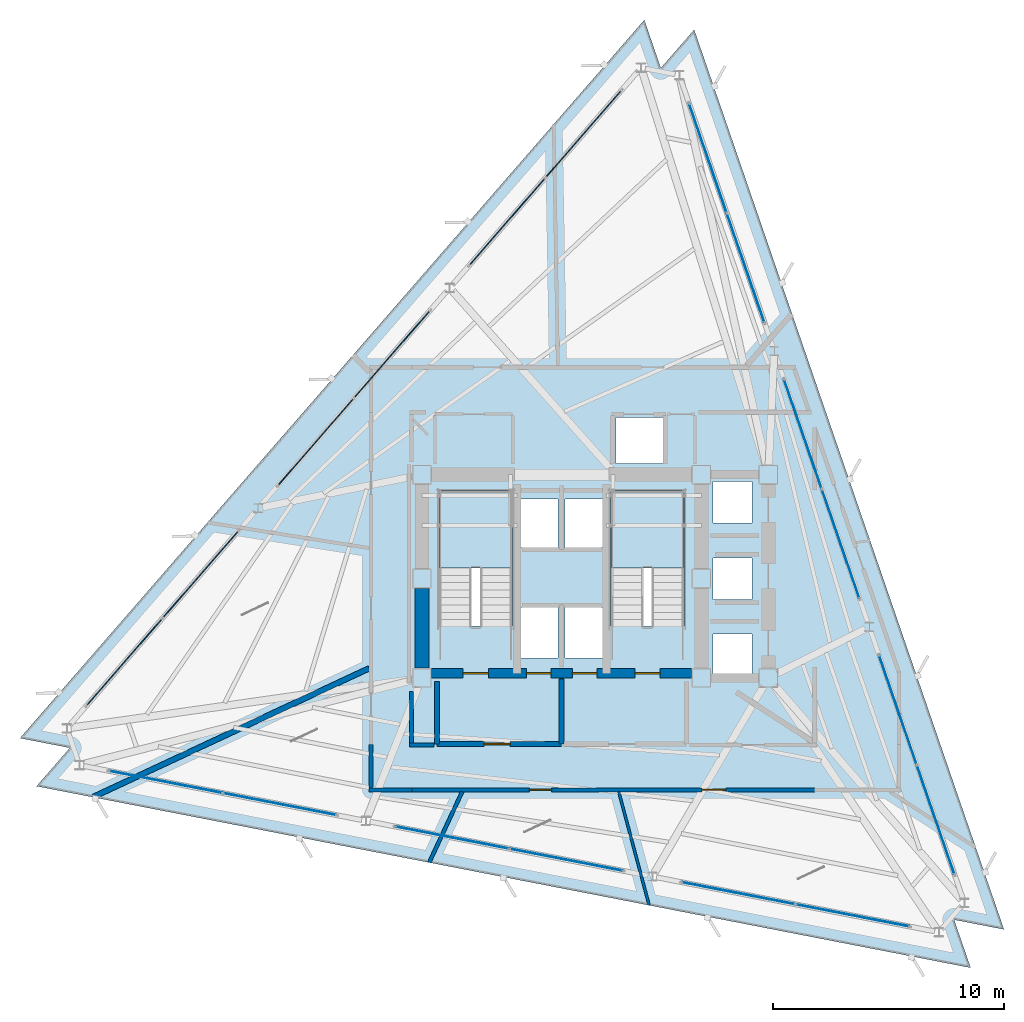
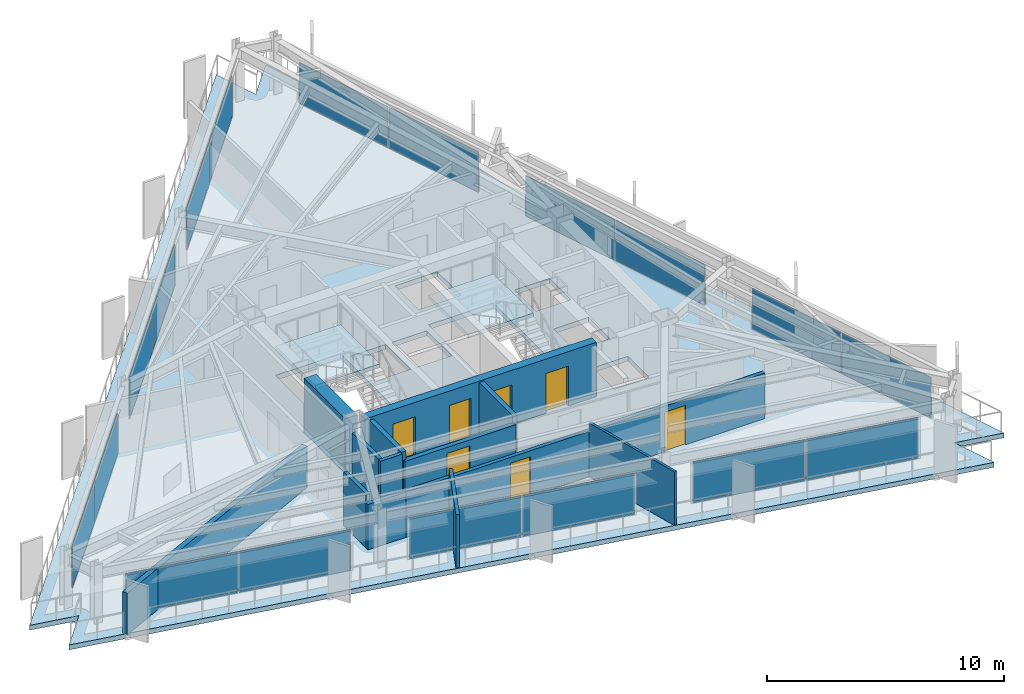
# One storey, part 8 of 13: 18 plates, 13 walls, 7 doors, 3 slabs, 7 openings, 11 elements without a shape of their own.
"""IFC4 building model written with IfcOpenShell, lengths in metres."""

from ifc_helpers import new_model, si_unit, direction, frame, frame_2d, origin, origin_2d, place, context, subcontext, project, spatial, polyline, rectangle, outline, extrude, material, layer, layer_set, type_object, element, fill, aggregate, save


model = new_model("IFC4")

# Units and contexts
model_context = context("Model", 3, precision=1e-05, world=origin(), true_north=direction((0.0, 1.0)))
body_context = subcontext(model_context, "Body", "Model", "MODEL_VIEW")
ifc_project = project(units=[si_unit("LENGTHUNIT", "METRE"), si_unit("AREAUNIT", "SQUARE_METRE"), si_unit("VOLUMEUNIT", "CUBIC_METRE"), si_unit("PLANEANGLEUNIT", "RADIAN"), si_unit("MASSUNIT", "GRAM", prefix="KILO")], contexts=[model_context])

# Site, building, storey
site_placement = place(None, origin())
site = spatial("IfcSite", under=ifc_project, at=site_placement, CompositionType="ELEMENT")
building_placement = place(site_placement, origin())
building = spatial("IfcBuilding", under=site, at=building_placement, Name="Rocaltana Carrier Exchange", CompositionType="ELEMENT")
storey_placement = place(building_placement, frame((0.0, 0.0, 159.360107421875)))
storey = spatial("IfcBuildingStorey", under=building, at=storey_placement, Name="L50", CompositionType="ELEMENT", Elevation=159.360107421875)

# Curtain wall, plates
ifc_material_1 = material(Name="Aluminium 6063-T6", Category="aluminium")
ifc_layer_1 = layer(ifc_material_1, 0.135009765625)
ifc_layer_set_1 = layer_set([ifc_layer_1], Name="Aluminium 6063-T6")
curtain_wall_type = type_object("IfcCurtainWallType", Name="Upper-Mid Acoustic Curtain Wall CW-04", PredefinedType="NOTDEFINED", material=ifc_layer_set_1)
curtain_wall_1_placement = place(storey_placement, origin())
curtain_wall_1 = element("IfcCurtainWall", 1, at=curtain_wall_1_placement, inside=storey, type_object=curtain_wall_type, Name="L50 CW-04 Run CW-L50-F1S1", PredefinedType="NOTDEFINED")
ifc_material_2 = material(Name="Tempered Laminated Glass", Category="glass")
ifc_layer_2 = layer(ifc_material_2, 0.0380859375)
ifc_layer_set_2 = layer_set([ifc_layer_2], Name="Tempered Laminated Glass")
plate_type = type_object("IfcPlateType", Name="CW-04 Stone-Insulated Vision Panel", PredefinedType="CURTAIN_PANEL", material=ifc_layer_set_2)
plate_1_placement = place(storey_placement, frame((16.197021484375, -10.4462890625, 0.06494140625), z_axis=(0.0, 0.0, 1.0), x_axis=(-0.325558788464, 0.945521800517, 0.0)))
plate_1 = element("IfcPlate", 2, at=plate_1_placement, type_object=plate_type, Name="CW-04 panel 1.1", PredefinedType="CURTAIN_PANEL", context=body_context, shape_type="SweptSolid", body=[
    extrude(rectangle(XDim=4.96923828125, YDim=0.0380859375, at=origin_2d()), origin(), (0.0, 0.0, 1.0), 2.087890625),
])
plate_2_placement = place(storey_placement, frame((14.55810546875, -5.686279296875, 0.06494140625), z_axis=(0.0, 0.0, 1.0), x_axis=(-0.325558788464, 0.945521800517, 0.0)))
plate_2 = element("IfcPlate", 3, at=plate_2_placement, type_object=plate_type, Name="CW-04 panel 2.1", PredefinedType="CURTAIN_PANEL", context=body_context, shape_type="SweptSolid", body=[
    extrude(rectangle(XDim=4.96923828125, YDim=0.0380859375, at=origin_2d()), origin(), (0.0, 0.0, 1.0), 2.087890625),
])
aggregate(curtain_wall_1, [plate_1, plate_2])

curtain_wall_2_placement = place(storey_placement, origin())
curtain_wall_2 = element("IfcCurtainWall", 4, at=curtain_wall_2_placement, inside=storey, type_object=curtain_wall_type, Name="L50 CW-04 Run CW-L50-F1S2", PredefinedType="NOTDEFINED")
plate_3_placement = place(storey_placement, frame((12.083984375, 1.498779296875, 0.06494140625), z_axis=(0.0, 0.0, 1.0), x_axis=(-0.32556182622, 0.945520754562, 0.0)))
plate_3 = element("IfcPlate", 5, at=plate_3_placement, type_object=plate_type, Name="CW-04 panel 1.1", PredefinedType="CURTAIN_PANEL", context=body_context, shape_type="SweptSolid", body=[
    extrude(rectangle(XDim=4.96923828125, YDim=0.0380859375, at=origin_2d()), origin(), (0.0, 0.0, 1.0), 2.087890625),
])
plate_4_placement = place(storey_placement, frame((10.445068359375, 6.258544921875, 0.06494140625), z_axis=(0.0, 0.0, 1.0), x_axis=(-0.32556182622, 0.945520754562, 0.0)))
plate_4 = element("IfcPlate", 6, at=plate_4_placement, type_object=plate_type, Name="CW-04 panel 2.1", PredefinedType="CURTAIN_PANEL", context=body_context, shape_type="SweptSolid", body=[
    extrude(rectangle(XDim=4.96923828125, YDim=0.0380859375, at=origin_2d()), origin(), (0.0, 0.0, 1.0), 2.087890625),
])
aggregate(curtain_wall_2, [plate_3, plate_4])

curtain_wall_3_placement = place(storey_placement, origin())
curtain_wall_3 = element("IfcCurtainWall", 7, at=curtain_wall_3_placement, inside=storey, type_object=curtain_wall_type, Name="L50 CW-04 Run CW-L50-F1S3", PredefinedType="NOTDEFINED")
plate_5_placement = place(storey_placement, frame((7.970947265625, 13.44384765625, 0.06494140625), z_axis=(0.0, 0.0, 1.0), x_axis=(-0.325558788464, 0.945521800517, 0.0)))
plate_5 = element("IfcPlate", 8, at=plate_5_placement, type_object=plate_type, Name="CW-04 panel 1.1", PredefinedType="CURTAIN_PANEL", context=body_context, shape_type="SweptSolid", body=[
    extrude(rectangle(XDim=4.96923828125, YDim=0.0380859375, at=origin_2d()), origin(), (0.0, 0.0, 1.0), 2.087890625),
])
plate_6_placement = place(storey_placement, frame((6.33203125, 18.20361328125, 0.06494140625), z_axis=(0.0, 0.0, 1.0), x_axis=(-0.325558788464, 0.945521800517, 0.0)))
plate_6 = element("IfcPlate", 9, at=plate_6_placement, type_object=plate_type, Name="CW-04 panel 2.1", PredefinedType="CURTAIN_PANEL", context=body_context, shape_type="SweptSolid", body=[
    extrude(rectangle(XDim=4.96923828125, YDim=0.0380859375, at=origin_2d()), origin(), (0.0, 0.0, 1.0), 2.087890625),
])
aggregate(curtain_wall_3, [plate_5, plate_6])

curtain_wall_4_placement = place(storey_placement, origin())
curtain_wall_4 = element("IfcCurtainWall", 10, at=curtain_wall_4_placement, inside=storey, type_object=curtain_wall_type, Name="L50 CW-04 Run CW-L50-F2S1", PredefinedType="NOTDEFINED")
plate_7_placement = place(storey_placement, frame((0.9482421875, 19.250244140625, 0.06494140625), z_axis=(0.0, 0.0, 1.0), x_axis=(-0.656056545375, -0.75471173919, 0.0)))
plate_7 = element("IfcPlate", 11, at=plate_7_placement, type_object=plate_type, Name="CW-04 panel 1.1", PredefinedType="CURTAIN_PANEL", context=body_context, shape_type="SweptSolid", body=[
    extrude(rectangle(XDim=4.96923828125, YDim=0.0380859375, at=origin_2d()), origin(), (0.0, 0.0, 1.0), 2.087890625),
])
plate_8_placement = place(storey_placement, frame((-2.3544921875, 15.450927734375, 0.06494140625), z_axis=(0.0, 0.0, 1.0), x_axis=(-0.656056545375, -0.75471173919, 0.0)))
plate_8 = element("IfcPlate", 12, at=plate_8_placement, type_object=plate_type, Name="CW-04 panel 2.1", PredefinedType="CURTAIN_PANEL", context=body_context, shape_type="SweptSolid", body=[
    extrude(rectangle(XDim=4.96923828125, YDim=0.0380859375, at=origin_2d()), origin(), (0.0, 0.0, 1.0), 2.087890625),
])
aggregate(curtain_wall_4, [plate_7, plate_8])

curtain_wall_5_placement = place(storey_placement, origin())
curtain_wall_5 = element("IfcCurtainWall", 13, at=curtain_wall_5_placement, inside=storey, type_object=curtain_wall_type, Name="L50 CW-04 Run CW-L50-F2S2", PredefinedType="NOTDEFINED")
plate_9_placement = place(storey_placement, frame((-7.33984375, 9.7158203125, 0.06494140625), z_axis=(0.0, 0.0, 1.0), x_axis=(-0.656056545375, -0.75471173919, 0.0)))
plate_9 = element("IfcPlate", 14, at=plate_9_placement, type_object=plate_type, Name="CW-04 panel 1.1", PredefinedType="CURTAIN_PANEL", context=body_context, shape_type="SweptSolid", body=[
    extrude(rectangle(XDim=4.96923828125, YDim=0.0380859375, at=origin_2d()), origin(), (0.0, 0.0, 1.0), 2.087890625),
])
plate_10_placement = place(storey_placement, frame((-10.642578125, 5.91650390625, 0.06494140625), z_axis=(0.0, 0.0, 1.0), x_axis=(-0.656056545375, -0.75471173919, 0.0)))
plate_10 = element("IfcPlate", 15, at=plate_10_placement, type_object=plate_type, Name="CW-04 panel 2.1", PredefinedType="CURTAIN_PANEL", context=body_context, shape_type="SweptSolid", body=[
    extrude(rectangle(XDim=4.96923828125, YDim=0.0380859375, at=origin_2d()), origin(), (0.0, 0.0, 1.0), 2.087890625),
])
aggregate(curtain_wall_5, [plate_9, plate_10])

curtain_wall_6_placement = place(storey_placement, origin())
curtain_wall_6 = element("IfcCurtainWall", 16, at=curtain_wall_6_placement, inside=storey, type_object=curtain_wall_type, Name="L50 CW-04 Run CW-L50-F2S3", PredefinedType="NOTDEFINED")
plate_11_placement = place(storey_placement, frame((-15.628173828125, 0.18115234375, 0.06494140625), z_axis=(0.0, 0.0, 1.0), x_axis=(-0.656056545375, -0.75471173919, 0.0)))
plate_11 = element("IfcPlate", 17, at=plate_11_placement, type_object=plate_type, Name="CW-04 panel 1.1", PredefinedType="CURTAIN_PANEL", context=body_context, shape_type="SweptSolid", body=[
    extrude(rectangle(XDim=4.96923828125, YDim=0.0380859375, at=origin_2d()), origin(), (0.0, 0.0, 1.0), 2.087890625),
])
plate_12_placement = place(storey_placement, frame((-18.930908203125, -3.6181640625, 0.06494140625), z_axis=(0.0, 0.0, 1.0), x_axis=(-0.656056545375, -0.75471173919, 0.0)))
plate_12 = element("IfcPlate", 18, at=plate_12_placement, type_object=plate_type, Name="CW-04 panel 2.1", PredefinedType="CURTAIN_PANEL", context=body_context, shape_type="SweptSolid", body=[
    extrude(rectangle(XDim=4.96923828125, YDim=0.0380859375, at=origin_2d()), origin(), (0.0, 0.0, 1.0), 2.087890625),
])
aggregate(curtain_wall_6, [plate_11, plate_12])

curtain_wall_7_placement = place(storey_placement, origin())
curtain_wall_7 = element("IfcCurtainWall", 19, at=curtain_wall_7_placement, inside=storey, type_object=curtain_wall_type, Name="L50 CW-04 Run CW-L50-F3S1", PredefinedType="NOTDEFINED")
plate_13_placement = place(storey_placement, frame((-17.145263671875, -8.803955078125, 0.06494140625), z_axis=(0.0, 0.0, 1.0), x_axis=(0.981628278569, -0.190803361378, 0.0)))
plate_13 = element("IfcPlate", 20, at=plate_13_placement, type_object=plate_type, Name="CW-04 panel 1.1", PredefinedType="CURTAIN_PANEL", context=body_context, shape_type="SweptSolid", body=[
    extrude(rectangle(XDim=4.96923828125, YDim=0.0380859375, at=origin_2d()), origin(), (0.0, 0.0, 1.0), 2.087890625),
])
plate_14_placement = place(storey_placement, frame((-12.20361328125, -9.764404296875, 0.06494140625), z_axis=(0.0, 0.0, 1.0), x_axis=(0.981628278569, -0.190803361378, 0.0)))
plate_14 = element("IfcPlate", 21, at=plate_14_placement, type_object=plate_type, Name="CW-04 panel 2.1", PredefinedType="CURTAIN_PANEL", context=body_context, shape_type="SweptSolid", body=[
    extrude(rectangle(XDim=4.96923828125, YDim=0.0380859375, at=origin_2d()), origin(), (0.0, 0.0, 1.0), 2.087890625),
])
aggregate(curtain_wall_7, [plate_13, plate_14])

curtain_wall_8_placement = place(storey_placement, origin())
curtain_wall_8 = element("IfcCurtainWall", 22, at=curtain_wall_8_placement, inside=storey, type_object=curtain_wall_type, Name="L50 CW-04 Run CW-L50-F3S2", PredefinedType="NOTDEFINED")
plate_15_placement = place(storey_placement, frame((-4.744140625, -11.21435546875, 0.06494140625), z_axis=(0.0, 0.0, 1.0), x_axis=(0.981626070913, -0.190814718784, 0.0)))
plate_15 = element("IfcPlate", 23, at=plate_15_placement, type_object=plate_type, Name="CW-04 panel 1.1", PredefinedType="CURTAIN_PANEL", context=body_context, shape_type="SweptSolid", body=[
    extrude(rectangle(XDim=4.96923828125, YDim=0.0380859375, at=origin_2d()), origin(), (0.0, 0.0, 1.0), 2.087890625),
])
plate_16_placement = place(storey_placement, frame((0.19775390625, -12.175048828125, 0.06494140625), z_axis=(0.0, 0.0, 1.0), x_axis=(0.981626070913, -0.190814718784, 0.0)))
plate_16 = element("IfcPlate", 24, at=plate_16_placement, type_object=plate_type, Name="CW-04 panel 2.1", PredefinedType="CURTAIN_PANEL", context=body_context, shape_type="SweptSolid", body=[
    extrude(rectangle(XDim=4.96923828125, YDim=0.0380859375, at=origin_2d()), origin(), (0.0, 0.0, 1.0), 2.087890625),
])
aggregate(curtain_wall_8, [plate_15, plate_16])

curtain_wall_9_placement = place(storey_placement, origin())
curtain_wall_9 = element("IfcCurtainWall", 25, at=curtain_wall_9_placement, inside=storey, type_object=curtain_wall_type, Name="L50 CW-04 Run CW-L50-F3S3", PredefinedType="NOTDEFINED")
plate_17_placement = place(storey_placement, frame((7.6572265625, -13.625, 0.06494140625), z_axis=(0.0, 0.0, 1.0), x_axis=(0.981627919301, -0.190805209699, 0.0)))
plate_17 = element("IfcPlate", 26, at=plate_17_placement, type_object=plate_type, Name="CW-04 panel 1.1", PredefinedType="CURTAIN_PANEL", context=body_context, shape_type="SweptSolid", body=[
    extrude(rectangle(XDim=4.96923828125, YDim=0.0380859375, at=origin_2d()), origin(), (0.0, 0.0, 1.0), 2.087890625),
])
plate_18_placement = place(storey_placement, frame((12.598876953125, -14.58544921875, 0.06494140625), z_axis=(0.0, 0.0, 1.0), x_axis=(0.981627919301, -0.190805209699, 0.0)))
plate_18 = element("IfcPlate", 27, at=plate_18_placement, type_object=plate_type, Name="CW-04 panel 2.1", PredefinedType="CURTAIN_PANEL", context=body_context, shape_type="SweptSolid", body=[
    extrude(rectangle(XDim=4.96923828125, YDim=0.0380859375, at=origin_2d()), origin(), (0.0, 0.0, 1.0), 2.087890625),
])
aggregate(curtain_wall_9, [plate_17, plate_18])

# Slab
ifc_material_3 = material(Name="Concrete C50/60", Category="concrete")
ifc_layer_3 = layer(ifc_material_3, 0.25)
ifc_layer_set_3 = layer_set([ifc_layer_3], Name="Concrete C50/60")
slab_type_1 = type_object("IfcSlabType", Name="Mid-Zone Tower Slab 250", PredefinedType="FLOOR", material=ifc_layer_set_3)
slab_1_placement = place(storey_placement, frame((0.0, 0.0, -0.25)))
element("IfcSlab", 28, at=slab_1_placement, inside=storey, type_object=slab_type_1, Name="L50 Structural Floor Slab", PredefinedType="FLOOR", context=body_context, shape_type="SweptSolid", body=[
    extrude(outline(polyline([(17.709716796875, -16.852294921875), (16.993408203125, -14.772216796875), (19.153076171875, -15.19189453125), (5.73974609375, 23.76318359375), (4.29638671875, 22.10302734375), (3.580078125, 24.18310546875), (-23.449462890625, -6.910888671875), (-21.289794921875, -7.330810546875), (-22.7333984375, -8.9912109375), (17.709716796875, -16.852294921875)]), holes=[polyline([(-5.300048828125, -2.06005859375), (-2.139892578125, -2.06005859375), (-2.139892578125, 3.800048828125), (-5.300048828125, 3.800048828125), (-5.300048828125, -2.06005859375)]), polyline([(2.139892578125, -2.06005859375), (5.300048828125, -2.06005859375), (5.300048828125, 3.800048828125), (2.139892578125, 3.800048828125), (2.139892578125, -2.06005859375)]), polyline([(-1.85009765625, -3.449951171875), (-0.14990234375, -3.449951171875), (-0.14990234375, -1.25), (-1.85009765625, -1.25), (-1.85009765625, -3.449951171875)]), polyline([(0.14990234375, -3.449951171875), (1.85009765625, -3.449951171875), (1.85009765625, -1.25), (0.14990234375, -1.25), (0.14990234375, -3.449951171875)]), polyline([(2.35009765625, 4.97998046875), (4.39990234375, 4.97998046875), (4.39990234375, 6.97998046875), (2.35009765625, 6.97998046875), (2.35009765625, 4.97998046875)]), polyline([(-1.85009765625, 1.35009765625), (-0.14990234375, 1.35009765625), (-0.14990234375, 3.449951171875), (-1.85009765625, 3.449951171875), (-1.85009765625, 1.35009765625)]), polyline([(0.14990234375, 1.35009765625), (1.85009765625, 1.35009765625), (1.85009765625, 3.449951171875), (0.14990234375, 3.449951171875), (0.14990234375, 1.35009765625)]), polyline([(6.550048828125, -4.199951171875), (8.25, -4.199951171875), (8.25, -2.39990234375), (6.550048828125, -2.39990234375), (6.550048828125, -4.199951171875)]), polyline([(6.550048828125, -0.89990234375), (8.25, -0.89990234375), (8.25, 0.89990234375), (6.550048828125, 0.89990234375), (6.550048828125, -0.89990234375)]), polyline([(6.550048828125, 2.39990234375), (8.25, 2.39990234375), (8.25, 4.199951171875), (6.550048828125, 4.199951171875), (6.550048828125, 2.39990234375)])]), origin(), (0.0, 0.0, 1.0), 0.25),
])

# Stair, slab
ifc_material_4 = material(Name="Precast concrete C45/55", Category="concrete")
stair_type = type_object("IfcStairType", Name="Standard Dog-Leg Stair 160", PredefinedType="HALF_TURN_STAIR", material=ifc_material_4)
stair_1_placement = place(storey_placement, origin())
stair_1 = element("IfcStair", 29, at=stair_1_placement, inside=storey, type_object=stair_type, Name="L50 Core West Exit Stair ST-1", PredefinedType="HALF_TURN_STAIR")
ifc_material_5 = material(Name="Precast concrete C45/55", Category="concrete")
ifc_layer_4 = layer(ifc_material_5, 0.199951171875)
ifc_layer_set_4 = layer_set([ifc_layer_4], Name="Precast concrete C45/55")
slab_type_2 = type_object("IfcSlabType", Name="Precast Stair Half-Landing 200", PredefinedType="LANDING", material=ifc_layer_set_4)
slab_2_placement = place(storey_placement, frame((0.0, 0.0, 1.31982421875)))
slab_2 = element("IfcSlab", 30, at=slab_2_placement, type_object=slab_type_2, Name="ST-1 landing 1", PredefinedType="LANDING", context=body_context, shape_type="SweptSolid", body=[
    extrude(outline(polyline([(-2.139892578125, 0.4599609375), (-2.139892578125, 3.800048828125), (-5.300048828125, 3.800048828125), (-5.300048828125, 0.4599609375), (-2.139892578125, 0.4599609375)])), origin(), (0.0, 0.0, 1.0), 0.199951171875),
])
aggregate(stair_1, [slab_2])

stair_2_placement = place(storey_placement, origin())
stair_2 = element("IfcStair", 31, at=stair_2_placement, inside=storey, type_object=stair_type, Name="L50 Core East Exit Stair ST-2", PredefinedType="HALF_TURN_STAIR")
slab_3_placement = place(storey_placement, frame((0.0, 0.0, 1.31982421875)))
slab_3 = element("IfcSlab", 32, at=slab_3_placement, type_object=slab_type_2, Name="ST-2 landing 1", PredefinedType="LANDING", context=body_context, shape_type="SweptSolid", body=[
    extrude(outline(polyline([(5.300048828125, 0.4599609375), (5.300048828125, 3.800048828125), (2.139892578125, 3.800048828125), (2.139892578125, 0.4599609375), (5.300048828125, 0.4599609375)])), origin(), (0.0, 0.0, 1.0), 0.199951171875),
])
aggregate(stair_2, [slab_3])

# Wall
ifc_material_6 = material(Name="Double Acoustic Gypsum Partition", Category="gypsum")
ifc_layer_5 = layer(ifc_material_6, 0.159912109375)
ifc_layer_set_5 = layer_set([ifc_layer_5], Name="Double Acoustic Gypsum Partition")
wall_type_1 = type_object("IfcWallType", Name="Acoustic Studio Partition 160 EI60", PredefinedType="PARTITIONING", material=ifc_layer_set_5)
wall_1_placement = place(storey_placement, frame((-4.303955078125, -9.22998046875, 0.0), z_axis=(0.0, 0.0, 1.0), x_axis=(-0.422604032696, -0.906314422013, 0.0)))
element("IfcWall", 33, at=wall_1_placement, inside=storey, type_object=wall_type_1, Name="L50 Suite Divider Wall D2", PredefinedType="PARTITIONING", context=body_context, shape_type="SweptSolid", body=[
    extrude(rectangle(XDim=3.3720703125, YDim=0.159912109375, at=frame_2d((1.68603515625, 0.0))), origin(), (0.0, 0.0, 1.0), 2.762939453125),
])

# Wall, openings, doors
ifc_material_7 = material(Name="Concrete C50/60", Category="concrete")
ifc_layer_6 = layer(ifc_material_7, 0.39990234375)
ifc_layer_set_6 = layer_set([ifc_layer_6], Name="Concrete C50/60")
wall_type_2 = type_object("IfcWallType", Name="Core Internal Shear Wall 400", PredefinedType="SHEAR", material=ifc_layer_set_6)
wall_2_placement = place(storey_placement, frame((-5.625, -4.10009765625, 0.0), z_axis=(0.0, 0.0, 1.0), x_axis=(1.0, 0.0, 0.0)))
wall_2 = element("IfcWall", 34, at=wall_2_placement, inside=storey, type_object=wall_type_2, Name="L50 Core Shear Wall CW-S", PredefinedType="SHEAR", context=body_context, shape_type="SweptSolid", body=[
    extrude(rectangle(XDim=11.25, YDim=0.39990234375, at=frame_2d((5.625, 0.0))), origin(), (0.0, 0.0, 1.0), 2.787841796875),
])
opening_1_placement = place(wall_2_placement, frame((1.35498046875, 0.0, 0.0)))
opening_1 = element("IfcOpeningElement", 35, at=opening_1_placement, cuts=wall_2, Name="Opening D-ST110", PredefinedType="OPENING", context=body_context, shape_type="SweptSolid", body=[
    extrude(rectangle(XDim=1.10009765625, YDim=2.0400390625, at=frame_2d((0.550048828125, 1.02001953125))), frame((0.0, 0.2099609375, 0.0), z_axis=(0.0, -1.0, 0.0), x_axis=(1.0, 0.0, 0.0)), (0.0, 0.0, 1.0), 0.419921875),
])
opening_2_placement = place(wall_2_placement, frame((8.794921875, 0.0, 0.0)))
opening_2 = element("IfcOpeningElement", 36, at=opening_2_placement, cuts=wall_2, Name="Opening D-ST110", PredefinedType="OPENING", context=body_context, shape_type="SweptSolid", body=[
    extrude(rectangle(XDim=1.10009765625, YDim=2.0400390625, at=frame_2d((0.550048828125, 1.02001953125))), frame((0.0, 0.2099609375, 0.0), z_axis=(0.0, -1.0, 0.0), x_axis=(1.0, 0.0, 0.0)), (0.0, 0.0, 1.0), 0.419921875),
])
opening_3_placement = place(wall_2_placement, frame((4.094970703125, 0.0, 0.0)))
opening_3 = element("IfcOpeningElement", 37, at=opening_3_placement, cuts=wall_2, Name="Opening LD-110", PredefinedType="OPENING", context=body_context, shape_type="SweptSolid", body=[
    extrude(rectangle(XDim=1.06005859375, YDim=2.0400390625, at=frame_2d((0.530029296875, 1.02001953125))), frame((0.0, 0.2099609375, 0.0), z_axis=(0.0, -1.0, 0.0), x_axis=(1.0, 0.0, 0.0)), (0.0, 0.0, 1.0), 0.419921875),
])
opening_4_placement = place(wall_2_placement, frame((6.094970703125, 0.0, 0.0)))
opening_4 = element("IfcOpeningElement", 38, at=opening_4_placement, cuts=wall_2, Name="Opening LD-110", PredefinedType="OPENING", context=body_context, shape_type="SweptSolid", body=[
    extrude(rectangle(XDim=1.06005859375, YDim=2.0400390625, at=frame_2d((0.530029296875, 1.02001953125))), frame((0.0, 0.2099609375, 0.0), z_axis=(0.0, -1.0, 0.0), x_axis=(1.0, 0.0, 0.0)), (0.0, 0.0, 1.0), 0.419921875),
])
ifc_material_8 = material(Name="Hollow Metal Fire Door Assembly", Category="steel")
door_type_1 = type_object("IfcDoorType", Name="Exit Stair Fire Door 1100x2040 FD90S", OperationType="NOTDEFINED", PredefinedType="DOOR", material=ifc_material_8)
door_1_placement = place(opening_1_placement, origin())
door_1 = element("IfcDoor", 39, at=door_1_placement, inside=storey, type_object=door_type_1, Name="L50 Exit Stair ST1 Fire Door", OperationType="SINGLE_SWING_RIGHT", OverallHeight=2.0400390625, OverallWidth=1.10009765625, PredefinedType="DOOR", context=body_context, shape_type="SweptSolid", body=[
    extrude(rectangle(XDim=1.10009765625, YDim=2.0400390625, at=frame_2d((0.550048828125, 1.02001953125))), frame((0.0, 0.02490234375, 0.0), z_axis=(0.0, -1.0, 0.0), x_axis=(1.0, 0.0, 0.0)), (0.0, 0.0, 1.0), 0.050048828125),
])
fill(opening_1, door_1)
door_2_placement = place(opening_2_placement, origin())
door_2 = element("IfcDoor", 40, at=door_2_placement, inside=storey, type_object=door_type_1, Name="L50 Exit Stair ST2 Fire Door", OperationType="SINGLE_SWING_LEFT", OverallHeight=2.0400390625, OverallWidth=1.10009765625, PredefinedType="DOOR", context=body_context, shape_type="SweptSolid", body=[
    extrude(rectangle(XDim=1.10009765625, YDim=2.0400390625, at=frame_2d((0.550048828125, 1.02001953125))), frame((0.0, 0.02490234375, 0.0), z_axis=(0.0, -1.0, 0.0), x_axis=(1.0, 0.0, 0.0)), (0.0, 0.0, 1.0), 0.050048828125),
])
fill(opening_2, door_2)
ifc_material_9 = material(Name="Brushed Stainless Sliding Door Leaf", Category="steel")
door_type_2 = type_object("IfcDoorType", Name="Lift Landing Sliding Door 1060x2040", OperationType="NOTDEFINED", PredefinedType="DOOR", material=ifc_material_9)
door_3_placement = place(opening_3_placement, origin())
door_3 = element("IfcDoor", 41, at=door_3_placement, inside=storey, type_object=door_type_2, Name="L50 Firefighting Lift FFL1 Landing Door", OperationType="SLIDING_TO_LEFT", OverallHeight=2.0400390625, OverallWidth=1.06005859375, PredefinedType="DOOR", context=body_context, shape_type="SweptSolid", body=[
    extrude(rectangle(XDim=1.06005859375, YDim=2.0400390625, at=frame_2d((0.530029296875, 1.02001953125))), frame((0.0, 0.02490234375, 0.0), z_axis=(0.0, -1.0, 0.0), x_axis=(1.0, 0.0, 0.0)), (0.0, 0.0, 1.0), 0.050048828125),
])
fill(opening_3, door_3)
door_4_placement = place(opening_4_placement, origin())
door_4 = element("IfcDoor", 42, at=door_4_placement, inside=storey, type_object=door_type_2, Name="L50 Firefighting Lift FFL2 Landing Door", OperationType="SLIDING_TO_RIGHT", OverallHeight=2.0400390625, OverallWidth=1.06005859375, PredefinedType="DOOR", context=body_context, shape_type="SweptSolid", body=[
    extrude(rectangle(XDim=1.06005859375, YDim=2.0400390625, at=frame_2d((0.530029296875, 1.02001953125))), frame((0.0, 0.02490234375, 0.0), z_axis=(0.0, -1.0, 0.0), x_axis=(1.0, 0.0, 0.0)), (0.0, 0.0, 1.0), 0.050048828125),
])
fill(opening_4, door_4)

# Walls
ifc_material_10 = material(Name="Concrete C50/60", Category="concrete")
ifc_layer_7 = layer(ifc_material_10, 0.60009765625)
ifc_layer_set_7 = layer_set([ifc_layer_7], Name="Concrete C50/60")
wall_type_3 = type_object("IfcWallType", Name="Core Shear Wall 600", PredefinedType="SHEAR", material=ifc_layer_set_7)
wall_3_placement = place(storey_placement, frame((-6.050048828125, -3.875, 0.0), z_axis=(0.0, 0.0, 1.0), x_axis=(0.0, 1.0, 0.0)))
element("IfcWall", 43, at=wall_3_placement, inside=storey, type_object=wall_type_3, Name="L50 Core Shear Wall CW-WS", PredefinedType="SHEAR", context=body_context, shape_type="SweptSolid", body=[
    extrude(rectangle(XDim=3.449951171875, YDim=0.60009765625, at=frame_2d((1.72509765625, 0.0))), origin(), (0.0, 0.0, 1.0), 2.787841796875),
])
ifc_material_11 = material(Name="Gypsum & Steel Stud Partition", Category="steel")
ifc_layer_8 = layer(ifc_material_11, 0.179931640625)
ifc_layer_set_8 = layer_set([ifc_layer_8], Name="Gypsum & Steel Stud Partition")
wall_type_4 = type_object("IfcWallType", Name="Corridor Fire Partition 180 EI60", PredefinedType="PARTITIONING", material=ifc_layer_set_8)
wall_4_placement = place(storey_placement, frame((-6.47998046875, -9.14990234375, 0.0), z_axis=(0.0, 0.0, 1.0), x_axis=(-1.0, 0.0, 0.0)))
element("IfcWall", 44, at=wall_4_placement, inside=storey, type_object=wall_type_4, Name="L50 Corridor Partition 1", PredefinedType="PARTITIONING", context=body_context, shape_type="SweptSolid", body=[
    extrude(rectangle(XDim=1.860107421875, YDim=0.179931640625, at=frame_2d((0.93017578125, 0.0))), origin(), (0.0, 0.0, 1.0), 2.329833984375),
])
wall_5_placement = place(storey_placement, frame((-8.25, -9.06005859375, 0.0), z_axis=(0.0, 0.0, 1.0), x_axis=(0.0, 1.0, 0.0)))
element("IfcWall", 45, at=wall_5_placement, inside=storey, type_object=wall_type_4, Name="L50 Corridor Partition 2", PredefinedType="PARTITIONING", context=body_context, shape_type="SweptSolid", body=[
    extrude(rectangle(XDim=1.880126953125, YDim=0.179931640625, at=frame_2d((0.93994140625, 0.0))), origin(), (0.0, 0.0, 1.0), 2.762939453125),
])
wall_6_placement = place(storey_placement, frame((-6.5, -4.8798828125, 0.0), z_axis=(0.0, 0.0, 1.0), x_axis=(0.0, -1.0, 0.0)))
element("IfcWall", 46, at=wall_6_placement, inside=storey, type_object=wall_type_4, Name="L50 Corridor Partition 12", PredefinedType="PARTITIONING", context=body_context, shape_type="SweptSolid", body=[
    extrude(rectangle(XDim=2.230224609375, YDim=0.179931640625, at=frame_2d((1.115234375, 0.0))), origin(), (0.0, 0.0, 1.0), 2.762939453125),
])
wall_7_placement = place(storey_placement, frame((-6.590087890625, -7.199951171875, 0.0), z_axis=(0.0, 0.0, 1.0), x_axis=(1.0, 0.0, 0.0)))
element("IfcWall", 47, at=wall_7_placement, inside=storey, type_object=wall_type_4, Name="L50 Corridor Partition 13", PredefinedType="PARTITIONING", context=body_context, shape_type="SweptSolid", body=[
    extrude(rectangle(XDim=1.06005859375, YDim=0.179931640625, at=frame_2d((0.530029296875, 0.0))), origin(), (0.0, 0.0, 1.0), 2.762939453125),
])

# Wall, openings, doors
wall_8_placement = place(storey_placement, frame((10.97998046875, -9.14990234375, 0.0), z_axis=(0.0, 0.0, 1.0), x_axis=(-1.0, 0.0, 0.0)))
wall_8 = element("IfcWall", 48, at=wall_8_placement, inside=storey, type_object=wall_type_4, Name="L50 Corridor Partition 21", PredefinedType="PARTITIONING", context=body_context, shape_type="SweptSolid", body=[
    extrude(rectangle(XDim=17.5, YDim=0.179931640625, at=frame_2d((8.75, 0.0))), origin(), (0.0, 0.0, 1.0), 2.329833984375),
])
opening_5_placement = place(wall_8_placement, frame((11.416748046875, 0.0, 0.0)))
opening_5 = element("IfcOpeningElement", 49, at=opening_5_placement, cuts=wall_8, Name="Opening D-RM098", PredefinedType="OPENING", context=body_context, shape_type="SweptSolid", body=[
    extrude(rectangle(XDim=0.9599609375, YDim=2.02001953125, at=frame_2d((0.47998046875, 1.010009765625))), frame((0.0, 0.099853515625, 0.0), z_axis=(0.0, -1.0, 0.0), x_axis=(1.0, 0.0, 0.0)), (0.0, 0.0, 1.0), 0.199951171875),
])
opening_6_placement = place(wall_8_placement, frame((3.872314453125, 0.0, 0.0)))
opening_6 = element("IfcOpeningElement", 50, at=opening_6_placement, cuts=wall_8, Name="Opening D-LB104", PredefinedType="OPENING", context=body_context, shape_type="SweptSolid", body=[
    extrude(rectangle(XDim=1.02001953125, YDim=2.02001953125, at=frame_2d((0.510009765625, 1.010009765625))), frame((0.0, 0.099853515625, 0.0), z_axis=(0.0, -1.0, 0.0), x_axis=(1.0, 0.0, 0.0)), (0.0, 0.0, 1.0), 0.199951171875),
])
ifc_material_12 = material(Name="Powder-Coated Aluminium 6063-T6", Category="aluminium")
door_type_3 = type_object("IfcDoorType", Name="Laboratory Acoustic Door 1020x2020", OperationType="NOTDEFINED", PredefinedType="DOOR", material=ifc_material_12)
door_5_placement = place(opening_6_placement, origin())
door_5 = element("IfcDoor", 51, at=door_5_placement, inside=storey, type_object=door_type_3, Name="L50 Optical Switching Laboratory Entrance Door", OperationType="SINGLE_SWING_LEFT", OverallHeight=2.02001953125, OverallWidth=1.02001953125, PredefinedType="DOOR", context=body_context, shape_type="SweptSolid", body=[
    extrude(rectangle(XDim=1.02001953125, YDim=2.02001953125, at=frame_2d((0.510009765625, 1.010009765625))), frame((0.0, 0.02490234375, 0.0), z_axis=(0.0, -1.0, 0.0), x_axis=(1.0, 0.0, 0.0)), (0.0, 0.0, 1.0), 0.050048828125),
])
fill(opening_6, door_5)
ifc_material_13 = material(Name="Engineered Hardwood Timber", Category="wood")
door_type_4 = type_object("IfcDoorType", Name="Workspace Single Door 960x2020", OperationType="NOTDEFINED", PredefinedType="DOOR", material=ifc_material_13)
door_6_placement = place(opening_5_placement, origin())
door_6 = element("IfcDoor", 52, at=door_6_placement, inside=storey, type_object=door_type_4, Name="L50 Peering Conference Room Entrance Door", OperationType="SINGLE_SWING_RIGHT", OverallHeight=2.02001953125, OverallWidth=0.9599609375, PredefinedType="DOOR", context=body_context, shape_type="SweptSolid", body=[
    extrude(rectangle(XDim=0.9599609375, YDim=2.02001953125, at=frame_2d((0.47998046875, 1.010009765625))), frame((0.0, 0.02490234375, 0.0), z_axis=(0.0, -1.0, 0.0), x_axis=(1.0, 0.0, 0.0)), (0.0, 0.0, 1.0), 0.050048828125),
])
fill(opening_5, door_6)

# Walls
ifc_material_14 = material(Name="Aluminium 6063-T6 & Acoustic Glass", Category="aluminium")
ifc_layer_9 = layer(ifc_material_14, 0.114990234375)
ifc_layer_set_9 = layer_set([ifc_layer_9], Name="Aluminium 6063-T6 & Acoustic Glass")
wall_type_5 = type_object("IfcWallType", Name="Demountable Glazed Lab Partition 115", PredefinedType="MOVABLE", material=ifc_layer_set_9)
wall_9_placement = place(storey_placement, frame((2.47314453125, -9.22998046875, 0.0), z_axis=(0.0, 0.0, 1.0), x_axis=(0.258799355676, -0.96593110184, 0.0)))
element("IfcWall", 53, at=wall_9_placement, inside=storey, type_object=wall_type_5, Name="L50 Suite Divider Wall D3", PredefinedType="MOVABLE", context=body_context, shape_type="SweptSolid", body=[
    extrude(rectangle(XDim=5.0791015625, YDim=0.114990234375, at=frame_2d((2.53955078125, 0.0))), origin(), (0.0, 0.0, 1.0), 2.762939453125),
])
ifc_material_15 = material(Name="Autoclaved Aerated Concrete C30/37", Category="concrete")
ifc_layer_10 = layer(ifc_material_15, 0.219970703125)
ifc_layer_set_10 = layer_set([ifc_layer_10], Name="Autoclaved Aerated Concrete C30/37")
wall_type_6 = type_object("IfcWallType", Name="Firefighting Lobby Wall 220 EI120", PredefinedType="PARTITIONING", material=ifc_layer_set_10)
wall_10_placement = place(storey_placement, frame((-5.39990234375, -7.159912109375, 0.0), z_axis=(0.0, 0.0, 1.0), x_axis=(0.0, 1.0, 0.0)))
element("IfcWall", 54, at=wall_10_placement, inside=storey, type_object=wall_type_6, Name="L50 FFL Lobby 1 West Wall", PredefinedType="PARTITIONING", context=body_context, shape_type="SweptSolid", body=[
    extrude(rectangle(XDim=2.7099609375, YDim=0.219970703125, at=frame_2d((1.35498046875, 0.0))), origin(), (0.0, 0.0, 1.0), 2.762939453125),
])
wall_11_placement = place(storey_placement, frame((0.0, -7.159912109375, 0.0), z_axis=(0.0, 0.0, 1.0), x_axis=(0.0, 1.0, 0.0)))
element("IfcWall", 55, at=wall_11_placement, inside=storey, type_object=wall_type_6, Name="L50 FFL Lobby Centre Wall", PredefinedType="PARTITIONING", context=body_context, shape_type="SweptSolid", body=[
    extrude(rectangle(XDim=2.809814453125, YDim=0.219970703125, at=frame_2d((1.40478515625, 0.0))), origin(), (0.0, 0.0, 1.0), 2.762939453125),
])

# Wall, opening, door
wall_12_placement = place(storey_placement, frame((-5.39990234375, -7.159912109375, 0.0), z_axis=(0.0, 0.0, 1.0), x_axis=(1.0, 0.0, 0.0)))
wall_12 = element("IfcWall", 56, at=wall_12_placement, inside=storey, type_object=wall_type_6, Name="L50 FFL Lobby 1 South Wall", PredefinedType="PARTITIONING", context=body_context, shape_type="SweptSolid", body=[
    extrude(rectangle(XDim=5.39990234375, YDim=0.219970703125, at=frame_2d((2.699951171875, 0.0))), origin(), (0.0, 0.0, 1.0), 2.329833984375),
])
opening_7_placement = place(wall_12_placement, frame((2.050048828125, 0.0, 0.0)))
opening_7 = element("IfcOpeningElement", 57, at=opening_7_placement, cuts=wall_12, Name="Opening D-FF115", PredefinedType="OPENING", context=body_context, shape_type="SweptSolid", body=[
    extrude(rectangle(XDim=1.1201171875, YDim=2.02001953125, at=frame_2d((0.56005859375, 1.010009765625))), frame((0.0, 0.119873046875, 0.0), z_axis=(0.0, -1.0, 0.0), x_axis=(1.0, 0.0, 0.0)), (0.0, 0.0, 1.0), 0.239990234375),
])
ifc_material_16 = material(Name="Hollow Metal Fire Door Assembly", Category="steel")
door_type_5 = type_object("IfcDoorType", Name="Firefighting Lobby Door 1120x2020 FD60S", OperationType="NOTDEFINED", PredefinedType="DOOR", material=ifc_material_16)
door_7_placement = place(opening_7_placement, origin())
door_7 = element("IfcDoor", 58, at=door_7_placement, inside=storey, type_object=door_type_5, Name="L50 Firefighting Lift Lobby 1 Door", OperationType="SINGLE_SWING_RIGHT", OverallHeight=2.02001953125, OverallWidth=1.1201171875, PredefinedType="DOOR", context=body_context, shape_type="SweptSolid", body=[
    extrude(rectangle(XDim=1.1201171875, YDim=2.02001953125, at=frame_2d((0.56005859375, 1.010009765625))), frame((0.0, 0.02490234375, 0.0), z_axis=(0.0, -1.0, 0.0), x_axis=(1.0, 0.0, 0.0)), (0.0, 0.0, 1.0), 0.050048828125),
])
fill(opening_7, door_7)

# Wall
ifc_material_17 = material(Name="Acoustic Calcium Silicate Partition", Category="gypsum")
ifc_layer_11 = layer(ifc_material_17, 0.239990234375)
ifc_layer_set_11 = layer_set([ifc_layer_11], Name="Acoustic Calcium Silicate Partition")
wall_type_7 = type_object("IfcWallType", Name="Heavy Lab Partition 240 EI90", PredefinedType="PARTITIONING", material=ifc_layer_set_11)
wall_13_placement = place(storey_placement, frame((-8.330078125, -3.88427734375, 0.0), z_axis=(0.0, 0.0, 1.0), x_axis=(-0.906301821786, -0.422631054026, 0.0)))
element("IfcWall", 59, at=wall_13_placement, inside=storey, type_object=wall_type_7, Name="L50 Suite Divider Wall D1", PredefinedType="PARTITIONING", context=body_context, shape_type="SweptSolid", body=[
    extrude(rectangle(XDim=13.18701171875, YDim=0.239990234375, at=frame_2d((6.593505859375, 0.0))), origin(), (0.0, 0.0, 1.0), 2.1318359375),
])

save(model, "model.ifc")
